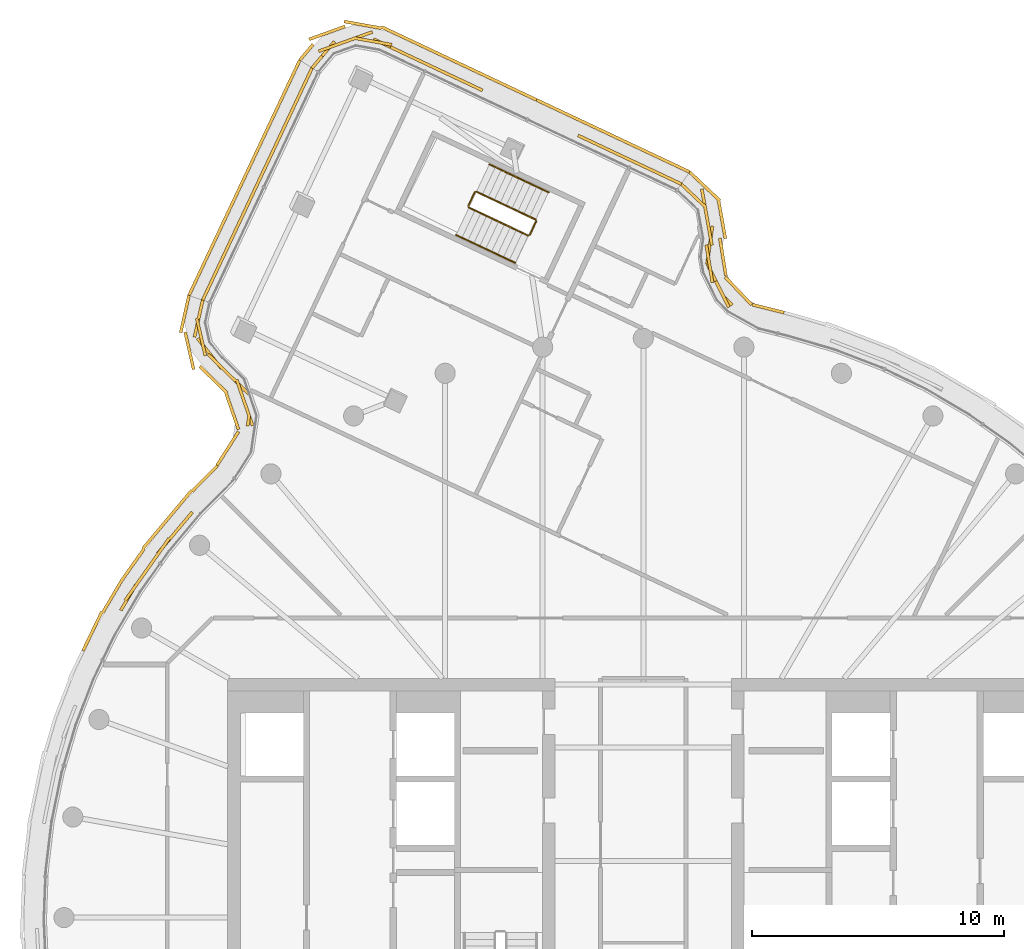
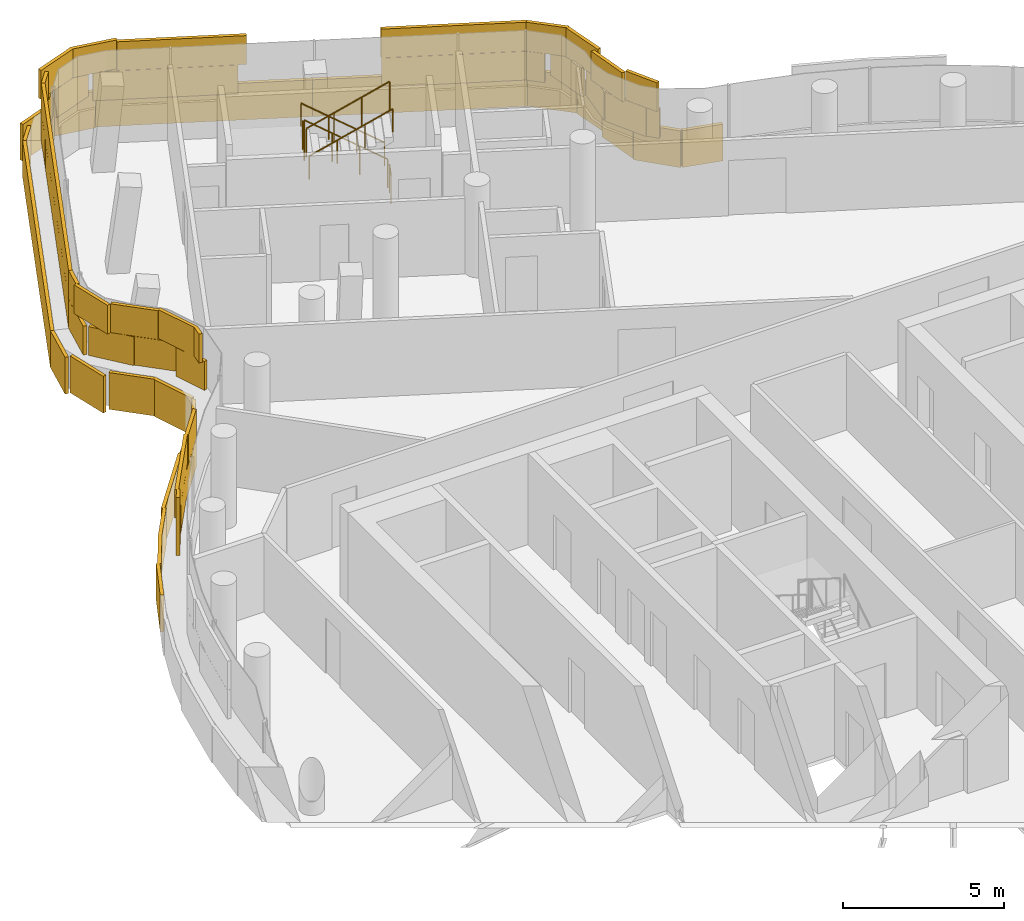
# One storey, part 19 of 21: 6 coverings, 6 railings.
"""IFC4 building model written with IfcOpenShell, lengths in metres."""

from ifc_helpers import new_model, si_unit, direction, frame, origin, origin_2d, place, context, subcontext, project, spatial, rectangle, circle, extrude, material, layer, layer_set, type_object, element, save


model = new_model("IFC4")

# Units and contexts
model_context = context("Model", 3, precision=1e-05, world=origin(), true_north=direction((0.0, 1.0)))
body_context = subcontext(model_context, "Body", "Model", "MODEL_VIEW")
ifc_project = project(units=[si_unit("LENGTHUNIT", "METRE"), si_unit("AREAUNIT", "SQUARE_METRE"), si_unit("VOLUMEUNIT", "CUBIC_METRE"), si_unit("PLANEANGLEUNIT", "RADIAN"), si_unit("MASSUNIT", "GRAM", prefix="KILO")], contexts=[model_context])

# Site, building, storey
site_placement = place(None, origin())
site = spatial("IfcSite", under=ifc_project, at=site_placement, CompositionType="ELEMENT")
building_placement = place(site_placement, origin())
building = spatial("IfcBuilding", under=site, at=building_placement, Name="Tamarind Cross Interchange Tower", CompositionType="ELEMENT")
storey_placement = place(building_placement, frame((0.0, 0.0, 267.60009765625)))
storey = spatial("IfcBuildingStorey", under=building, at=storey_placement, Name="L68", CompositionType="ELEMENT", Elevation=267.60009765625)

# Railings
ifc_material_1 = material(Name="Stair guard")
railing_type_1 = type_object("IfcRailingType", Name="Stair guard", PredefinedType="GUARDRAIL", material=ifc_material_1)
railing_1_placement = place(storey_placement, frame((-4.271728515625, 27.71533203125, 0.16357421875)))
element("IfcRailing", 1, at=railing_1_placement, inside=storey, type_object=railing_type_1, Name="L68 ST4 stair guard 1", PredefinedType="GUARDRAIL", context=body_context, shape_type="SweptSolid", body=[
    extrude(circle(Radius=0.02392578125, at=origin_2d()), frame((0.0, 0.0, 1.076171875), z_axis=(-0.765687638694, 0.360632122926, 0.532603897719), x_axis=(-0.426095455595, -0.904678209488, 0.0)), (0.0, 0.0, 1.0), 3.072021484375),
    extrude(circle(Radius=0.02099609375, at=origin_2d()), origin(), (0.0, 0.0, 1.0), 1.052001953125),
    extrude(circle(Radius=0.02099609375, at=origin_2d()), frame((-0.7841796875, 0.369384765625, 0.54541015625)), (0.0, 0.0, 1.0), 1.052001953125),
    extrude(circle(Radius=0.02099609375, at=origin_2d()), frame((-1.568115234375, 0.738525390625, 1.0908203125)), (0.0, 0.0, 1.0), 1.052001953125),
    extrude(circle(Radius=0.02099609375, at=origin_2d()), frame((-2.352294921875, 1.10791015625, 1.63623046875)), (0.0, 0.0, 1.0), 1.052001953125),
])
railing_2_placement = place(storey_placement, frame((-6.6904296875, 28.79931640625, 1.7998046875)))
element("IfcRailing", 2, at=railing_2_placement, inside=storey, type_object=railing_type_1, Name="L68 ST4 stair guard 2", PredefinedType="GUARDRAIL", context=body_context, shape_type="SweptSolid", body=[
    extrude(circle(Radius=0.02392578125, at=origin_2d()), frame((0.0, 0.0, 1.076171875), z_axis=(-0.426090996133, -0.904680309841, 0.0), x_axis=(0.904680309841, -0.426090996133, 0.0)), (0.0, 0.0, 1.0), 0.599853515625),
    extrude(circle(Radius=0.02099609375, at=origin_2d()), origin(), (0.0, 0.0, 1.0), 1.052001953125),
    extrude(circle(Radius=0.02099609375, at=origin_2d()), frame((-0.255615234375, -0.542724609375, 0.0)), (0.0, 0.0, 1.0), 1.052001953125),
])
railing_3_placement = place(storey_placement, frame((-6.922119140625, 28.18994140625, 1.963623046875)))
element("IfcRailing", 3, at=railing_3_placement, inside=storey, type_object=railing_type_1, Name="L68 ST4 stair guard 3", PredefinedType="GUARDRAIL", context=body_context, shape_type="SweptSolid", body=[
    extrude(circle(Radius=0.02392578125, at=origin_2d()), frame((0.0, 0.0, 1.076171875), z_axis=(0.76565475742, -0.360654067799, 0.532636307269), x_axis=(0.4261316529, 0.904661159991, 0.0)), (0.0, 0.0, 1.0), 3.072021484375),
    extrude(circle(Radius=0.02099609375, at=origin_2d()), origin(), (0.0, 0.0, 1.0), 1.052001953125),
    extrude(circle(Radius=0.02099609375, at=origin_2d()), frame((0.783935546875, -0.369384765625, 0.54541015625)), (0.0, 0.0, 1.0), 1.052001953125),
    extrude(circle(Radius=0.02099609375, at=origin_2d()), frame((1.568115234375, -0.738525390625, 1.0908203125)), (0.0, 0.0, 1.0), 1.052001953125),
    extrude(circle(Radius=0.02099609375, at=origin_2d()), frame((2.35205078125, -1.10791015625, 1.63623046875)), (0.0, 0.0, 1.0), 1.052001953125),
])
railing_4_placement = place(storey_placement, frame((-4.247802734375, 27.648681640625, 0.0)))
element("IfcRailing", 4, at=railing_4_placement, inside=storey, type_object=railing_type_1, Name="L68 ST4 stair guard 4", PredefinedType="GUARDRAIL", context=body_context, shape_type="SweptSolid", body=[
    extrude(circle(Radius=0.02392578125, at=origin_2d()), frame((0.0, 0.0, 1.076171875), z_axis=(-0.426423987498, -0.904523400961, 0.0), x_axis=(0.904523400961, -0.426423987498, 0.0)), (0.0, 0.0, 1.0), 0.60009765625),
    extrude(circle(Radius=0.02099609375, at=origin_2d()), origin(), (0.0, 0.0, 1.0), 1.052001953125),
    extrude(circle(Radius=0.02099609375, at=origin_2d()), frame((-0.255859375, -0.542724609375, 0.0)), (0.0, 0.0, 1.0), 1.052001953125),
])
ifc_material_2 = material(Name="Stair handrail")
railing_type_2 = type_object("IfcRailingType", Name="Stair handrail", PredefinedType="HANDRAIL", material=ifc_material_2)
railing_5_placement = place(storey_placement, frame((-3.760498046875, 28.80078125, 0.16357421875)))
element("IfcRailing", 5, at=railing_5_placement, inside=storey, type_object=railing_type_2, Name="L68 ST4 stair handrail 1", PredefinedType="HANDRAIL", context=body_context, shape_type="SweptSolid", body=[
    extrude(circle(Radius=0.02392578125, at=origin_2d()), frame((0.0, 0.0, 0.8759765625), z_axis=(-0.76565475742, 0.360654067799, 0.532636307269), x_axis=(-0.4261316529, -0.904661159991, 0.0)), (0.0, 0.0, 1.0), 3.072021484375),
    extrude(circle(Radius=0.02099609375, at=origin_2d()), origin(), (0.0, 0.0, 1.0), 0.851806640625),
    extrude(circle(Radius=0.02099609375, at=origin_2d()), frame((-0.783935546875, 0.369384765625, 0.54541015625)), (0.0, 0.0, 1.0), 0.851806640625),
    extrude(circle(Radius=0.02099609375, at=origin_2d()), frame((-1.568115234375, 0.738525390625, 1.0908203125)), (0.0, 0.0, 1.0), 0.851806640625),
    extrude(circle(Radius=0.02099609375, at=origin_2d()), frame((-2.35205078125, 1.10791015625, 1.63623046875)), (0.0, 0.0, 1.0), 0.851806640625),
])
railing_6_placement = place(storey_placement, frame((-7.43359375, 27.104248046875, 1.963623046875)))
element("IfcRailing", 6, at=railing_6_placement, inside=storey, type_object=railing_type_2, Name="L68 ST4 stair handrail 2", PredefinedType="HANDRAIL", context=body_context, shape_type="SweptSolid", body=[
    extrude(circle(Radius=0.02392578125, at=origin_2d()), frame((0.0, 0.0, 0.8759765625), z_axis=(0.76565475742, -0.360654067799, 0.532636307269), x_axis=(0.4261316529, 0.904661159991, 0.0)), (0.0, 0.0, 1.0), 3.072021484375),
    extrude(circle(Radius=0.02099609375, at=origin_2d()), origin(), (0.0, 0.0, 1.0), 0.851806640625),
    extrude(circle(Radius=0.02099609375, at=origin_2d()), frame((0.783935546875, -0.369384765625, 0.54541015625)), (0.0, 0.0, 1.0), 0.851806640625),
    extrude(circle(Radius=0.02099609375, at=origin_2d()), frame((1.568115234375, -0.738525390625, 1.0908203125)), (0.0, 0.0, 1.0), 0.851806640625),
    extrude(circle(Radius=0.02099609375, at=origin_2d()), frame((2.35205078125, -1.10791015625, 1.63623046875)), (0.0, 0.0, 1.0), 0.851806640625),
])

# Coverings
ifc_material_3 = material(Name="Terracotta", Category="masonry")
ifc_layer = layer(ifc_material_3, 0.1201171875)
ifc_layer_set = layer_set([ifc_layer], Name="Terracotta")
covering_type = type_object("IfcCoveringType", Name="Terracotta baguette screen unit", PredefinedType="MOLDING", material=ifc_layer_set)
covering_1_placement = place(storey_placement, origin())
element("IfcCovering", 7, at=covering_1_placement, inside=storey, type_object=covering_type, Name="SCR-L68-00-00", PredefinedType="MOLDING", context=body_context, shape_type="SweptSolid", body=[
    extrude(rectangle(XDim=1.510009765625, YDim=0.1201171875, at=origin_2d()), frame((-13.470703125, 33.05615234375, 1.40380859375), z_axis=(0.0, 0.0, 1.0), x_axis=(-0.426133004548, -0.904660523309, 0.0)), (0.0, 0.0, 1.0), 1.092041015625),
    extrude(rectangle(XDim=1.52001953125, YDim=0.1201171875, at=origin_2d()), frame((-14.10986328125, 31.69921875, 1.40380859375), z_axis=(0.0, 0.0, 1.0), x_axis=(-0.426133004548, -0.904660523309, 0.0)), (0.0, 0.0, 1.0), 1.092041015625),
    extrude(rectangle(XDim=1.52001953125, YDim=0.1201171875, at=origin_2d()), frame((-14.7490234375, 30.34228515625, 1.40380859375), z_axis=(0.0, 0.0, 1.0), x_axis=(-0.426133004548, -0.904660523309, 0.0)), (0.0, 0.0, 1.0), 1.092041015625),
    extrude(rectangle(XDim=1.52001953125, YDim=0.1201171875, at=origin_2d()), frame((-15.38818359375, 28.9853515625, 1.40380859375), z_axis=(0.0, 0.0, 1.0), x_axis=(-0.426133004548, -0.904660523309, 0.0)), (0.0, 0.0, 1.0), 1.092041015625),
    extrude(rectangle(XDim=1.52001953125, YDim=0.1201171875, at=origin_2d()), frame((-16.027587890625, 27.628173828125, 1.40380859375), z_axis=(0.0, 0.0, 1.0), x_axis=(-0.426133004548, -0.904660523309, 0.0)), (0.0, 0.0, 1.0), 1.092041015625),
    extrude(rectangle(XDim=1.52001953125, YDim=0.1201171875, at=origin_2d()), frame((-16.666748046875, 26.271240234375, 1.40380859375), z_axis=(0.0, 0.0, 1.0), x_axis=(-0.426133004548, -0.904660523309, 0.0)), (0.0, 0.0, 1.0), 1.092041015625),
    extrude(rectangle(XDim=1.199462890625, YDim=0.1201171875, at=origin_2d()), frame((-17.23974609375, 25.0546875, 1.40380859375), z_axis=(0.0, 0.0, 1.0), x_axis=(-0.426133004548, -0.904660523309, 0.0)), (0.0, 0.0, 1.0), 1.092041015625),
    extrude(rectangle(XDim=0.760009765625, YDim=0.1201171875, at=origin_2d()), frame((-13.310791015625, 33.3955078125, 2.50390625), z_axis=(0.0, 0.0, 1.0), x_axis=(-0.426133004548, -0.904660523309, 0.0)), (0.0, 0.0, 1.0), 1.092041015625),
    extrude(rectangle(XDim=1.52001953125, YDim=0.1201171875, at=origin_2d()), frame((-13.790283203125, 32.377685546875, 2.50390625), z_axis=(0.0, 0.0, 1.0), x_axis=(-0.426133004548, -0.904660523309, 0.0)), (0.0, 0.0, 1.0), 1.092041015625),
    extrude(rectangle(XDim=1.52001953125, YDim=0.1201171875, at=origin_2d()), frame((-14.429443359375, 31.020751953125, 2.50390625), z_axis=(0.0, 0.0, 1.0), x_axis=(-0.426133004548, -0.904660523309, 0.0)), (0.0, 0.0, 1.0), 1.092041015625),
    extrude(rectangle(XDim=1.52001953125, YDim=0.1201171875, at=origin_2d()), frame((-15.068603515625, 29.663818359375, 2.50390625), z_axis=(0.0, 0.0, 1.0), x_axis=(-0.426133004548, -0.904660523309, 0.0)), (0.0, 0.0, 1.0), 1.092041015625),
    extrude(rectangle(XDim=1.52001953125, YDim=0.1201171875, at=origin_2d()), frame((-15.707763671875, 28.306884765625, 2.50390625), z_axis=(0.0, 0.0, 1.0), x_axis=(-0.426133004548, -0.904660523309, 0.0)), (0.0, 0.0, 1.0), 1.092041015625),
    extrude(rectangle(XDim=1.52001953125, YDim=0.1201171875, at=origin_2d()), frame((-16.34716796875, 26.94970703125, 2.50390625), z_axis=(0.0, 0.0, 1.0), x_axis=(-0.426133004548, -0.904660523309, 0.0)), (0.0, 0.0, 1.0), 1.092041015625),
    extrude(rectangle(XDim=1.52001953125, YDim=0.1201171875, at=origin_2d()), frame((-16.986328125, 25.5927734375, 2.50390625), z_axis=(0.0, 0.0, 1.0), x_axis=(-0.426133004548, -0.904660523309, 0.0)), (0.0, 0.0, 1.0), 1.092041015625),
    extrude(rectangle(XDim=0.449462890625, YDim=0.1201171875, at=origin_2d()), frame((-17.3994140625, 24.715576171875, 2.50390625), z_axis=(0.0, 0.0, 1.0), x_axis=(-0.426133004548, -0.904660523309, 0.0)), (0.0, 0.0, 1.0), 1.092041015625),
    extrude(rectangle(XDim=1.510009765625, YDim=0.1201171875, at=origin_2d()), frame((-13.9599609375, 33.36474609375, 0.00390625), z_axis=(0.0, 0.0, 1.0), x_axis=(-0.426133004548, -0.904660523309, 0.0)), (0.0, 0.0, 1.0), 1.39208984375),
    extrude(rectangle(XDim=1.52001953125, YDim=0.1201171875, at=origin_2d()), frame((-14.596923828125, 32.01220703125, 0.00390625), z_axis=(0.0, 0.0, 1.0), x_axis=(-0.426133004548, -0.904660523309, 0.0)), (0.0, 0.0, 1.0), 1.39208984375),
    extrude(rectangle(XDim=1.52001953125, YDim=0.1201171875, at=origin_2d()), frame((-15.236083984375, 30.6552734375, 0.00390625), z_axis=(0.0, 0.0, 1.0), x_axis=(-0.426133004548, -0.904660523309, 0.0)), (0.0, 0.0, 1.0), 1.39208984375),
    extrude(rectangle(XDim=1.52001953125, YDim=0.1201171875, at=origin_2d()), frame((-15.875244140625, 29.29833984375, 0.00390625), z_axis=(0.0, 0.0, 1.0), x_axis=(-0.426133004548, -0.904660523309, 0.0)), (0.0, 0.0, 1.0), 1.39208984375),
    extrude(rectangle(XDim=1.52001953125, YDim=0.1201171875, at=origin_2d()), frame((-16.5146484375, 27.941162109375, 0.00390625), z_axis=(0.0, 0.0, 1.0), x_axis=(-0.426133004548, -0.904660523309, 0.0)), (0.0, 0.0, 1.0), 1.39208984375),
    extrude(rectangle(XDim=1.52001953125, YDim=0.1201171875, at=origin_2d()), frame((-17.15380859375, 26.584228515625, 0.00390625), z_axis=(0.0, 0.0, 1.0), x_axis=(-0.426133004548, -0.904660523309, 0.0)), (0.0, 0.0, 1.0), 1.39208984375),
    extrude(rectangle(XDim=1.339111328125, YDim=0.1201171875, at=origin_2d()), frame((-17.75439453125, 25.30908203125, 0.00390625), z_axis=(0.0, 0.0, 1.0), x_axis=(-0.426133004548, -0.904660523309, 0.0)), (0.0, 0.0, 1.0), 1.39208984375),
])
covering_2_placement = place(storey_placement, origin())
element("IfcCovering", 8, at=covering_2_placement, inside=storey, type_object=covering_type, Name="SCR-L68-01-00", PredefinedType="MOLDING", context=body_context, shape_type="SweptSolid", body=[
    extrude(rectangle(XDim=1.510009765625, YDim=0.1201171875, at=origin_2d()), frame((-17.655517578125, 23.784423828125, 1.40380859375), z_axis=(0.0, 0.0, 1.0), x_axis=(-0.216600351034, -0.976260358681, 0.0)), (0.0, 0.0, 1.0), 1.092041015625),
    extrude(rectangle(XDim=1.52001953125, YDim=0.1201171875, at=origin_2d()), frame((-17.224853515625, 22.40185546875, 1.40380859375), z_axis=(0.0, 0.0, 1.0), x_axis=(0.620360068228, -0.784317146152, 0.0)), (0.0, 0.0, 1.0), 1.092041015625),
    extrude(rectangle(XDim=1.52001953125, YDim=0.1201171875, at=origin_2d()), frame((-16.198486328125, 21.3115234375, 1.40380859375), z_axis=(0.0, 0.0, 1.0), x_axis=(0.71500730523, -0.699116981247, 0.0)), (0.0, 0.0, 1.0), 1.092041015625),
    extrude(rectangle(XDim=1.171142578125, YDim=0.1201171875, at=origin_2d()), frame((-15.706298828125, 20.090576171875, 1.40380859375), z_axis=(0.0, 0.0, 1.0), x_axis=(0.326707534245, -0.945125487471, 0.0)), (0.0, 0.0, 1.0), 1.092041015625),
    extrude(rectangle(XDim=0.760009765625, YDim=0.1201171875, at=origin_2d()), frame((-17.574462890625, 24.150634765625, 2.50390625), z_axis=(0.0, 0.0, 1.0), x_axis=(-0.216600351034, -0.976260358681, 0.0)), (0.0, 0.0, 1.0), 1.092041015625),
    extrude(rectangle(XDim=1.52001953125, YDim=0.1201171875, at=origin_2d()), frame((-17.55859375, 23.05322265625, 2.50390625), z_axis=(0.0, 0.0, 1.0), x_axis=(0.223530817822, -0.974696862355, 0.0)), (0.0, 0.0, 1.0), 1.092041015625),
    extrude(rectangle(XDim=1.52001953125, YDim=0.1201171875, at=origin_2d()), frame((-16.73486328125, 21.8359375, 2.50390625), z_axis=(0.0, 0.0, 1.0), x_axis=(0.71500730523, -0.699116981247, 0.0)), (0.0, 0.0, 1.0), 1.092041015625),
    extrude(rectangle(XDim=1.52001953125, YDim=0.1201171875, at=origin_2d()), frame((-15.89599609375, 20.639404296875, 2.50390625), z_axis=(0.0, 0.0, 1.0), x_axis=(0.326707534245, -0.945125487471, 0.0)), (0.0, 0.0, 1.0), 1.092041015625),
    extrude(rectangle(XDim=0.421142578125, YDim=0.1201171875, at=origin_2d()), frame((-15.67822265625, 19.727294921875, 2.50390625), z_axis=(0.0, 0.0, 1.0), x_axis=(-0.145657275928, -0.989335109035, 0.0)), (0.0, 0.0, 1.0), 1.092041015625),
    extrude(rectangle(XDim=1.510009765625, YDim=0.1201171875, at=origin_2d()), frame((-18.203125, 23.96630859375, 0.00390625), z_axis=(0.0, 0.0, 1.0), x_axis=(-0.216600351034, -0.976260358681, 0.0)), (0.0, 0.0, 1.0), 1.39208984375),
    extrude(rectangle(XDim=1.52001953125, YDim=0.1201171875, at=origin_2d()), frame((-18.022705078125, 22.508544921875, 0.00390625), z_axis=(0.0, 0.0, 1.0), x_axis=(0.223530817822, -0.974696862355, 0.0)), (0.0, 0.0, 1.0), 1.39208984375),
    extrude(rectangle(XDim=1.52001953125, YDim=0.1201171875, at=origin_2d()), frame((-17.068359375, 21.359375, 0.00390625), z_axis=(0.0, 0.0, 1.0), x_axis=(0.71500730523, -0.699116981247, 0.0)), (0.0, 0.0, 1.0), 1.39208984375),
    extrude(rectangle(XDim=1.52001953125, YDim=0.1201171875, at=origin_2d()), frame((-16.31884765625, 20.10595703125, 0.00390625), z_axis=(0.0, 0.0, 1.0), x_axis=(0.326707534245, -0.945125487471, 0.0)), (0.0, 0.0, 1.0), 1.39208984375),
    extrude(rectangle(XDim=1.52001953125, YDim=0.1201171875, at=origin_2d()), frame((-16.47998046875, 18.655517578125, 0.00390625), z_axis=(0.0, 0.0, 1.0), x_axis=(-0.537769412843, -0.843091963318, 0.0)), (0.0, 0.0, 1.0), 1.39208984375),
    extrude(rectangle(XDim=0.0859375, YDim=0.1201171875, at=origin_2d()), frame((-16.90087890625, 17.995361328125, 0.00390625), z_axis=(0.0, 0.0, 1.0), x_axis=(-0.537769412843, -0.843091963318, 0.0)), (0.0, 0.0, 1.0), 1.39208984375),
])
covering_3_placement = place(storey_placement, origin())
element("IfcCovering", 9, at=covering_3_placement, inside=storey, type_object=covering_type, Name="SCR-L68-01-01", PredefinedType="MOLDING", context=body_context, shape_type="SweptSolid", body=[
    extrude(rectangle(XDim=0.64892578125, YDim=0.1201171875, at=origin_2d()), frame((-18.11474609375, 15.8505859375, 1.40380859375), z_axis=(0.0, 0.0, 1.0), x_axis=(-0.643009266048, -0.765858396687, 0.0)), (0.0, 0.0, 1.0), 1.092041015625),
    extrude(rectangle(XDim=1.52001953125, YDim=0.1201171875, at=origin_2d()), frame((-18.802490234375, 15.031494140625, 1.40380859375), z_axis=(0.0, 0.0, 1.0), x_axis=(-0.643009266048, -0.765858396687, 0.0)), (0.0, 0.0, 1.0), 1.092041015625),
    extrude(rectangle(XDim=1.52001953125, YDim=0.1201171875, at=origin_2d()), frame((-19.696044921875, 13.828125, 1.40380859375), z_axis=(0.0, 0.0, 1.0), x_axis=(-0.577568978284, -0.816341886298, 0.0)), (0.0, 0.0, 1.0), 1.092041015625),
    extrude(rectangle(XDim=1.196533203125, YDim=0.1201171875, at=origin_2d()), frame((-20.441650390625, 12.7119140625, 1.40380859375), z_axis=(0.0, 0.0, 1.0), x_axis=(-0.508183308752, -0.861248933065, 0.0)), (0.0, 0.0, 1.0), 1.092041015625),
    extrude(rectangle(XDim=1.39892578125, YDim=0.1201171875, at=origin_2d()), frame((-18.35595703125, 15.5634765625, 2.50390625), z_axis=(0.0, 0.0, 1.0), x_axis=(-0.643009266048, -0.765858396687, 0.0)), (0.0, 0.0, 1.0), 1.092041015625),
    extrude(rectangle(XDim=1.52001953125, YDim=0.1201171875, at=origin_2d()), frame((-19.262939453125, 14.4404296875, 2.50390625), z_axis=(0.0, 0.0, 1.0), x_axis=(-0.577568978284, -0.816341886298, 0.0)), (0.0, 0.0, 1.0), 1.092041015625),
    extrude(rectangle(XDim=1.52001953125, YDim=0.1201171875, at=origin_2d()), frame((-20.12939453125, 13.2158203125, 2.50390625), z_axis=(0.0, 0.0, 1.0), x_axis=(-0.577568978284, -0.816341886298, 0.0)), (0.0, 0.0, 1.0), 1.092041015625),
    extrude(rectangle(XDim=0.446533203125, YDim=0.1201171875, at=origin_2d()), frame((-20.63232421875, 12.388916015625, 2.50390625), z_axis=(0.0, 0.0, 1.0), x_axis=(-0.508183308752, -0.861248933065, 0.0)), (0.0, 0.0, 1.0), 1.092041015625),
    extrude(rectangle(XDim=1.43408203125, YDim=0.1201171875, at=origin_2d()), frame((-17.4111328125, 17.435546875, 0.00390625), z_axis=(0.0, 0.0, 1.0), x_axis=(-0.703740096186, -0.710457512467, 0.0)), (0.0, 0.0, 1.0), 1.39208984375),
    extrude(rectangle(XDim=1.52001953125, YDim=0.1201171875, at=origin_2d()), frame((-18.417236328125, 16.383056640625, 0.00390625), z_axis=(0.0, 0.0, 1.0), x_axis=(-0.643009266048, -0.765858396687, 0.0)), (0.0, 0.0, 1.0), 1.39208984375),
    extrude(rectangle(XDim=1.52001953125, YDim=0.1201171875, at=origin_2d()), frame((-19.3818359375, 15.234130859375, 0.00390625), z_axis=(0.0, 0.0, 1.0), x_axis=(-0.643009266048, -0.765858396687, 0.0)), (0.0, 0.0, 1.0), 1.39208984375),
    extrude(rectangle(XDim=1.52001953125, YDim=0.1201171875, at=origin_2d()), frame((-20.2626953125, 14.02099609375, 0.00390625), z_axis=(0.0, 0.0, 1.0), x_axis=(-0.577568978284, -0.816341886298, 0.0)), (0.0, 0.0, 1.0), 1.39208984375),
    extrude(rectangle(XDim=1.52001953125, YDim=0.1201171875, at=origin_2d()), frame((-21.077880859375, 12.763427734375, 0.00390625), z_axis=(0.0, 0.0, 1.0), x_axis=(-0.508183308752, -0.861248933065, 0.0)), (0.0, 0.0, 1.0), 1.39208984375),
    extrude(rectangle(XDim=1.52001953125, YDim=0.1201171875, at=origin_2d()), frame((-21.82568359375, 11.463623046875, 0.00390625), z_axis=(0.0, 0.0, 1.0), x_axis=(-0.435326231914, -0.900272776334, 0.0)), (0.0, 0.0, 1.0), 1.39208984375),
    extrude(rectangle(XDim=0.22509765625, YDim=0.1201171875, at=origin_2d()), frame((-22.19677734375, 10.696044921875, 0.00390625), z_axis=(0.0, 0.0, 1.0), x_axis=(-0.435326231914, -0.900272776334, 0.0)), (0.0, 0.0, 1.0), 1.39208984375),
])
covering_4_placement = place(storey_placement, origin())
element("IfcCovering", 10, at=covering_4_placement, inside=storey, type_object=covering_type, Name="SCR-L68-01-15", PredefinedType="MOLDING", context=body_context, shape_type="SweptSolid", body=[
    extrude(rectangle(XDim=0.41552734375, YDim=0.1201171875, at=origin_2d()), frame((3.382080078125, 24.46728515625, 1.40380859375), z_axis=(0.0, 0.0, 1.0), x_axis=(-0.690854606343, 0.722993715667, 0.0)), (0.0, 0.0, 1.0), 1.092041015625),
    extrude(rectangle(XDim=1.52001953125, YDim=0.1201171875, at=origin_2d()), frame((2.8837890625, 25.268310546875, 1.40380859375), z_axis=(0.0, 0.0, 1.0), x_axis=(-0.445693970806, 0.895185391071, 0.0)), (0.0, 0.0, 1.0), 1.092041015625),
    extrude(rectangle(XDim=1.52001953125, YDim=0.1201171875, at=origin_2d()), frame((2.639892578125, 26.705322265625, 1.40380859375), z_axis=(0.0, 0.0, 1.0), x_axis=(0.139040896575, 0.990286639857, 0.0)), (0.0, 0.0, 1.0), 1.092041015625),
    extrude(rectangle(XDim=1.52001953125, YDim=0.1201171875, at=origin_2d()), frame((2.45751953125, 28.18310546875, 1.40380859375), z_axis=(0.0, 0.0, 1.0), x_axis=(-0.177087090916, 0.984195185027, 0.0)), (0.0, 0.0, 1.0), 1.092041015625),
    extrude(rectangle(XDim=0.608642578125, YDim=0.1201171875, at=origin_2d()), frame((1.725830078125, 28.9208984375, 1.40380859375), z_axis=(0.0, 0.0, 1.0), x_axis=(-0.726396113822, 0.687276280563, 0.0)), (0.0, 0.0, 1.0), 1.092041015625),
    extrude(rectangle(XDim=1.16552734375, YDim=0.1201171875, at=origin_2d()), frame((3.141357421875, 24.751220703125, 2.50390625), z_axis=(0.0, 0.0, 1.0), x_axis=(-0.445693970806, 0.895185391071, 0.0)), (0.0, 0.0, 1.0), 1.092041015625),
    extrude(rectangle(XDim=1.52001953125, YDim=0.1201171875, at=origin_2d()), frame((2.623291015625, 25.963623046875, 2.50390625), z_axis=(0.0, 0.0, 1.0), x_axis=(-0.160530647749, 0.987030856221, 0.0)), (0.0, 0.0, 1.0), 1.092041015625),
    extrude(rectangle(XDim=1.52001953125, YDim=0.1201171875, at=origin_2d()), frame((2.59033203125, 27.445068359375, 2.50390625), z_axis=(0.0, 0.0, 1.0), x_axis=(-0.177087090916, 0.984195185027, 0.0)), (0.0, 0.0, 1.0), 1.092041015625),
    extrude(rectangle(XDim=1.358642578125, YDim=0.1201171875, at=origin_2d()), frame((1.998291015625, 28.6630859375, 2.50390625), z_axis=(0.0, 0.0, 1.0), x_axis=(-0.726396113822, 0.687276280563, 0.0)), (0.0, 0.0, 1.0), 1.092041015625),
    extrude(rectangle(XDim=1.2998046875, YDim=0.1201171875, at=origin_2d()), frame((4.96240234375, 24.17822265625, 0.00390625), z_axis=(0.0, 0.0, 1.0), x_axis=(-0.970165151039, 0.242445003473, 0.0)), (0.0, 0.0, 1.0), 1.39208984375),
    extrude(rectangle(XDim=1.52001953125, YDim=0.1201171875, at=origin_2d()), frame((3.777099609375, 24.884521484375, 0.00390625), z_axis=(0.0, 0.0, 1.0), x_axis=(-0.690854606343, 0.722993715667, 0.0)), (0.0, 0.0, 1.0), 1.39208984375),
    extrude(rectangle(XDim=1.52001953125, YDim=0.1201171875, at=origin_2d()), frame((3.162109375, 26.227294921875, 0.00390625), z_axis=(0.0, 0.0, 1.0), x_axis=(-0.160530647749, 0.987030856221, 0.0)), (0.0, 0.0, 1.0), 1.39208984375),
    extrude(rectangle(XDim=1.52001953125, YDim=0.1201171875, at=origin_2d()), frame((3.126220703125, 27.7080078125, 0.00390625), z_axis=(0.0, 0.0, 1.0), x_axis=(-0.177087090916, 0.984195185027, 0.0)), (0.0, 0.0, 1.0), 1.39208984375),
    extrude(rectangle(XDim=1.52001953125, YDim=0.1201171875, at=origin_2d()), frame((2.492919921875, 28.985595703125, 0.00390625), z_axis=(0.0, 0.0, 1.0), x_axis=(-0.726396113822, 0.687276280563, 0.0)), (0.0, 0.0, 1.0), 1.39208984375),
    extrude(rectangle(XDim=0.163818359375, YDim=0.1201171875, at=origin_2d()), frame((1.895751953125, 29.550537109375, 0.00390625), z_axis=(0.0, 0.0, 1.0), x_axis=(-0.726396113822, 0.687276280563, 0.0)), (0.0, 0.0, 1.0), 1.39208984375),
])
covering_5_placement = place(storey_placement, origin())
element("IfcCovering", 11, at=covering_5_placement, inside=storey, type_object=covering_type, Name="SCR-L68-02-00", PredefinedType="MOLDING", context=body_context, shape_type="SweptSolid", body=[
    extrude(rectangle(XDim=1.510009765625, YDim=0.1201171875, at=origin_2d()), frame((0.830078125, 29.4462890625, 1.40380859375), z_axis=(0.0, 0.0, 1.0), x_axis=(-0.904660523309, 0.426133004548, 0.0)), (0.0, 0.0, 1.0), 1.092041015625),
    extrude(rectangle(XDim=1.52001953125, YDim=0.1201171875, at=origin_2d()), frame((-0.527099609375, 30.08544921875, 1.40380859375), z_axis=(0.0, 0.0, 1.0), x_axis=(-0.904660523309, 0.426133004548, 0.0)), (0.0, 0.0, 1.0), 1.092041015625),
    extrude(rectangle(XDim=1.52001953125, YDim=0.1201171875, at=origin_2d()), frame((-1.884033203125, 30.724609375, 1.40380859375), z_axis=(0.0, 0.0, 1.0), x_axis=(-0.904660523309, 0.426133004548, 0.0)), (0.0, 0.0, 1.0), 1.092041015625),
    extrude(rectangle(XDim=0.760009765625, YDim=0.1201171875, at=origin_2d()), frame((1.169189453125, 29.286376953125, 2.50390625), z_axis=(0.0, 0.0, 1.0), x_axis=(-0.904660523309, 0.426133004548, 0.0)), (0.0, 0.0, 1.0), 1.092041015625),
    extrude(rectangle(XDim=1.52001953125, YDim=0.1201171875, at=origin_2d()), frame((0.1513671875, 29.765869140625, 2.50390625), z_axis=(0.0, 0.0, 1.0), x_axis=(-0.904660523309, 0.426133004548, 0.0)), (0.0, 0.0, 1.0), 1.092041015625),
    extrude(rectangle(XDim=1.52001953125, YDim=0.1201171875, at=origin_2d()), frame((-1.20556640625, 30.405029296875, 2.50390625), z_axis=(0.0, 0.0, 1.0), x_axis=(-0.904660523309, 0.426133004548, 0.0)), (0.0, 0.0, 1.0), 1.092041015625),
    extrude(rectangle(XDim=0.78662109375, YDim=0.1201171875, at=origin_2d()), frame((-2.2353515625, 30.89013671875, 2.50390625), z_axis=(0.0, 0.0, 1.0), x_axis=(-0.904660523309, 0.426133004548, 0.0)), (0.0, 0.0, 1.0), 1.092041015625),
    extrude(rectangle(XDim=1.510009765625, YDim=0.1201171875, at=origin_2d()), frame((1.153076171875, 29.928466796875, 0.00390625), z_axis=(0.0, 0.0, 1.0), x_axis=(-0.904660523309, 0.426133004548, 0.0)), (0.0, 0.0, 1.0), 1.39208984375),
    extrude(rectangle(XDim=1.52001953125, YDim=0.1201171875, at=origin_2d()), frame((-0.19921875, 30.565673828125, 0.00390625), z_axis=(0.0, 0.0, 1.0), x_axis=(-0.904660523309, 0.426133004548, 0.0)), (0.0, 0.0, 1.0), 1.39208984375),
    extrude(rectangle(XDim=1.52001953125, YDim=0.1201171875, at=origin_2d()), frame((-1.556396484375, 31.204833984375, 0.00390625), z_axis=(0.0, 0.0, 1.0), x_axis=(-0.904660523309, 0.426133004548, 0.0)), (0.0, 0.0, 1.0), 1.39208984375),
    extrude(rectangle(XDim=1.52001953125, YDim=0.1201171875, at=origin_2d()), frame((-2.913330078125, 31.843994140625, 0.00390625), z_axis=(0.0, 0.0, 1.0), x_axis=(-0.904660523309, 0.426133004548, 0.0)), (0.0, 0.0, 1.0), 1.39208984375),
    extrude(rectangle(XDim=0.720947265625, YDim=0.1201171875, at=origin_2d()), frame((-3.908935546875, 32.31298828125, 0.00390625), z_axis=(0.0, 0.0, 1.0), x_axis=(-0.904660523309, 0.426133004548, 0.0)), (0.0, 0.0, 1.0), 1.39208984375),
])
covering_6_placement = place(storey_placement, origin())
element("IfcCovering", 12, at=covering_6_placement, inside=storey, type_object=covering_type, Name="SCR-L68-02-01", PredefinedType="MOLDING", context=body_context, shape_type="SweptSolid", body=[
    extrude(rectangle(XDim=1.52001953125, YDim=0.1201171875, at=origin_2d()), frame((-7.31201171875, 33.281494140625, 1.40380859375), z_axis=(0.0, 0.0, 1.0), x_axis=(-0.904660523309, 0.426133004548, 0.0)), (0.0, 0.0, 1.0), 1.092041015625),
    extrude(rectangle(XDim=1.52001953125, YDim=0.1201171875, at=origin_2d()), frame((-8.6689453125, 33.920654296875, 1.40380859375), z_axis=(0.0, 0.0, 1.0), x_axis=(-0.904660523309, 0.426133004548, 0.0)), (0.0, 0.0, 1.0), 1.092041015625),
    extrude(rectangle(XDim=1.52001953125, YDim=0.1201171875, at=origin_2d()), frame((-10.02587890625, 34.559814453125, 1.40380859375), z_axis=(0.0, 0.0, 1.0), x_axis=(-0.904660523309, 0.426133004548, 0.0)), (0.0, 0.0, 1.0), 1.092041015625),
    extrude(rectangle(XDim=1.52001953125, YDim=0.1201171875, at=origin_2d()), frame((-11.46923828125, 34.90869140625, 1.40380859375), z_axis=(0.0, 0.0, 1.0), x_axis=(-0.941013127907, -0.3383700535, 0.0)), (0.0, 0.0, 1.0), 1.092041015625),
    extrude(rectangle(XDim=1.38330078125, YDim=0.1201171875, at=origin_2d()), frame((-12.70751953125, 34.259033203125, 1.40380859375), z_axis=(0.0, 0.0, 1.0), x_axis=(-0.645756247312, -0.763543626165, 0.0)), (0.0, 0.0, 1.0), 1.092041015625),
    extrude(rectangle(XDim=1.033447265625, YDim=0.1201171875, at=origin_2d()), frame((-6.84912109375, 33.0634765625, 2.50390625), z_axis=(0.0, 0.0, 1.0), x_axis=(-0.904660523309, 0.426133004548, 0.0)), (0.0, 0.0, 1.0), 1.092041015625),
    extrude(rectangle(XDim=1.52001953125, YDim=0.1201171875, at=origin_2d()), frame((-7.990478515625, 33.60107421875, 2.50390625), z_axis=(0.0, 0.0, 1.0), x_axis=(-0.904660523309, 0.426133004548, 0.0)), (0.0, 0.0, 1.0), 1.092041015625),
    extrude(rectangle(XDim=1.52001953125, YDim=0.1201171875, at=origin_2d()), frame((-9.347412109375, 34.240234375, 2.50390625), z_axis=(0.0, 0.0, 1.0), x_axis=(-0.904660523309, 0.426133004548, 0.0)), (0.0, 0.0, 1.0), 1.092041015625),
    extrude(rectangle(XDim=1.52001953125, YDim=0.1201171875, at=origin_2d()), frame((-10.732421875, 34.791748046875, 2.50390625), z_axis=(0.0, 0.0, 1.0), x_axis=(-0.984126300813, 0.177469501743, 0.0)), (0.0, 0.0, 1.0), 1.092041015625),
    extrude(rectangle(XDim=1.52001953125, YDim=0.1201171875, at=origin_2d()), frame((-12.175048828125, 34.655029296875, 2.50390625), z_axis=(0.0, 0.0, 1.0), x_axis=(-0.941013127907, -0.3383700535, 0.0)), (0.0, 0.0, 1.0), 1.092041015625),
    extrude(rectangle(XDim=0.63330078125, YDim=0.1201171875, at=origin_2d()), frame((-12.94970703125, 33.97265625, 2.50390625), z_axis=(0.0, 0.0, 1.0), x_axis=(-0.645756247312, -0.763543626165, 0.0)), (0.0, 0.0, 1.0), 1.092041015625),
    extrude(rectangle(XDim=0.799072265625, YDim=0.1201171875, at=origin_2d()), frame((-4.596435546875, 32.63671875, 0.00390625), z_axis=(0.0, 0.0, 1.0), x_axis=(-0.904660523309, 0.426133004548, 0.0)), (0.0, 0.0, 1.0), 1.39208984375),
    extrude(rectangle(XDim=1.52001953125, YDim=0.1201171875, at=origin_2d()), frame((-5.627197265625, 33.122314453125, 0.00390625), z_axis=(0.0, 0.0, 1.0), x_axis=(-0.904660523309, 0.426133004548, 0.0)), (0.0, 0.0, 1.0), 1.39208984375),
    extrude(rectangle(XDim=1.52001953125, YDim=0.1201171875, at=origin_2d()), frame((-6.984130859375, 33.761474609375, 0.00390625), z_axis=(0.0, 0.0, 1.0), x_axis=(-0.904660523309, 0.426133004548, 0.0)), (0.0, 0.0, 1.0), 1.39208984375),
    extrude(rectangle(XDim=1.52001953125, YDim=0.1201171875, at=origin_2d()), frame((-8.34130859375, 34.40087890625, 0.00390625), z_axis=(0.0, 0.0, 1.0), x_axis=(-0.904660523309, 0.426133004548, 0.0)), (0.0, 0.0, 1.0), 1.39208984375),
    extrude(rectangle(XDim=1.52001953125, YDim=0.1201171875, at=origin_2d()), frame((-9.6982421875, 35.0400390625, 0.00390625), z_axis=(0.0, 0.0, 1.0), x_axis=(-0.904660523309, 0.426133004548, 0.0)), (0.0, 0.0, 1.0), 1.39208984375),
    extrude(rectangle(XDim=1.52001953125, YDim=0.1201171875, at=origin_2d()), frame((-11.129638671875, 35.446533203125, 0.00390625), z_axis=(0.0, 0.0, 1.0), x_axis=(-0.984126300813, 0.177469501743, 0.0)), (0.0, 0.0, 1.0), 1.39208984375),
    extrude(rectangle(XDim=1.52001953125, YDim=0.1201171875, at=origin_2d()), frame((-12.556884765625, 35.127685546875, 0.00390625), z_axis=(0.0, 0.0, 1.0), x_axis=(-0.941013127907, -0.3383700535, 0.0)), (0.0, 0.0, 1.0), 1.39208984375),
    extrude(rectangle(XDim=0.817138671875, YDim=0.1201171875, at=origin_2d()), frame((-13.374267578125, 34.359619140625, 0.00390625), z_axis=(0.0, 0.0, 1.0), x_axis=(-0.645756247312, -0.763543626165, 0.0)), (0.0, 0.0, 1.0), 1.39208984375),
])

save(model, "model.ifc")
